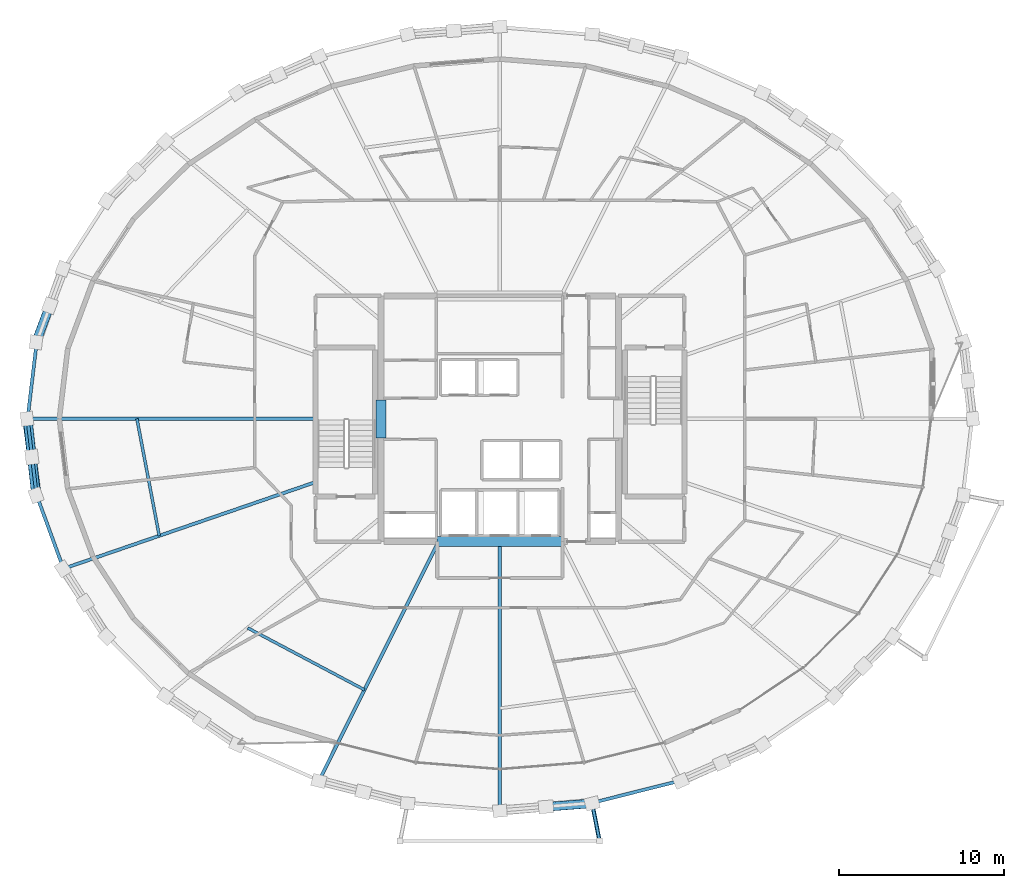
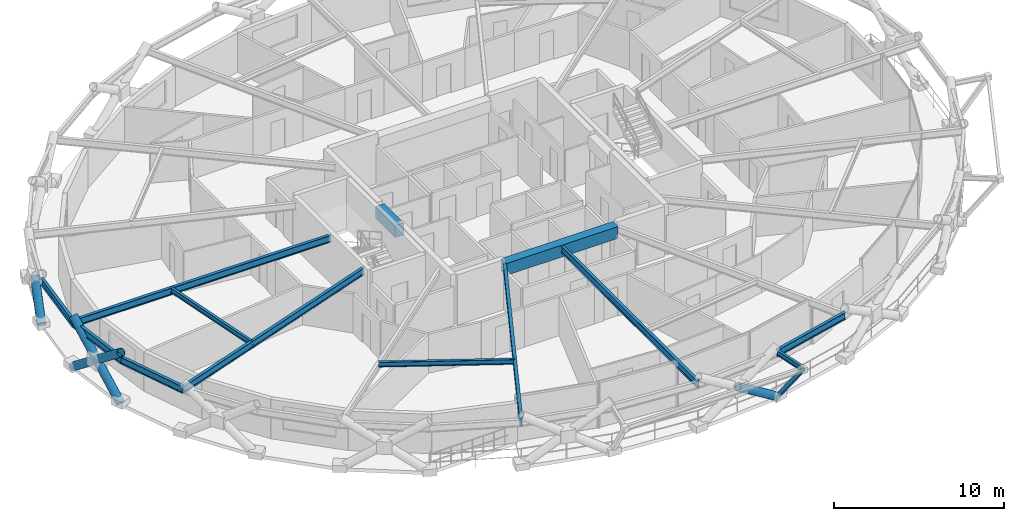
# One storey, part 4 of 21: 13 beams, 6 members.
"""IFC4 building model written with IfcOpenShell, lengths in metres."""

from ifc_helpers import new_model, si_unit, direction, frame, origin, origin_2d, place, context, subcontext, project, spatial, rectangle, hollow_rectangle, hollow_circle, i_section, extrude, material, material_profile, profile_set, type_object, element, save


model = new_model("IFC4")

# Units and contexts
model_context = context("Model", 3, precision=1e-05, world=origin(), true_north=direction((0.0, 1.0)))
body_context = subcontext(model_context, "Body", "Model", "MODEL_VIEW")
ifc_project = project(units=[si_unit("LENGTHUNIT", "METRE"), si_unit("AREAUNIT", "SQUARE_METRE"), si_unit("VOLUMEUNIT", "CUBIC_METRE"), si_unit("PLANEANGLEUNIT", "RADIAN"), si_unit("MASSUNIT", "GRAM", prefix="KILO")], contexts=[model_context])

# Site, building, storey
site_placement = place(None, origin())
site = spatial("IfcSite", under=ifc_project, at=site_placement, CompositionType="ELEMENT")
building_placement = place(site_placement, origin())
building = spatial("IfcBuilding", under=site, at=building_placement, Name="Veldorina Hangang Commons", CompositionType="ELEMENT")
storey_placement = place(building_placement, frame((0.0, 0.0, 120.800048828125)))
storey = spatial("IfcBuildingStorey", under=building, at=storey_placement, Name="L30", CompositionType="ELEMENT", Elevation=120.800048828125)

# Beams
ifc_material_1 = material(Name="Concrete C60/75", Category="concrete")
ifc_material_profile_1 = material_profile(ifc_material_1, rectangle(XDim=0.60009765625, YDim=0.85009765625, at=origin_2d()), Name="RC-CB-600x850")
ifc_profile_set_1 = profile_set([ifc_material_profile_1], Name="Concrete C60/75")
beam_type_1 = type_object("IfcBeamType", Name="BM-CB850", PredefinedType="LINTEL", material=ifc_profile_set_1)
beam_1_placement = place(storey_placement, frame((24.800048828125, 22.85009765625, 2.925048828125), z_axis=(0.0, 1.0, 0.0), x_axis=(-1.0, 0.0, 0.0)))
element("IfcBeam", 1, at=beam_1_placement, inside=storey, type_object=beam_type_1, Name="L30 W core coupling lintel beam", PredefinedType="LINTEL", context=body_context, shape_type="SweptSolid", body=[
    extrude(rectangle(XDim=0.60009765625, YDim=0.85009765625, at=origin_2d()), origin(), (0.0, 0.0, 1.0), 2.2998046875),
])
beam_2_placement = place(storey_placement, frame((28.199951171875, 16.550048828125, 2.925048828125), z_axis=(1.0, 0.0, 0.0), x_axis=(0.0, 1.0, 0.0)))
element("IfcBeam", 2, at=beam_2_placement, inside=storey, type_object=beam_type_1, Name="L30 south core coupling beam", PredefinedType="LINTEL", context=body_context, shape_type="SweptSolid", body=[
    extrude(rectangle(XDim=0.60009765625, YDim=0.85009765625, at=origin_2d()), origin(), (0.0, 0.0, 1.0), 7.60009765625),
])
ifc_material_2 = material(Name="Steel SM355-TMC", Category="steel")
ifc_material_profile_2 = material_profile(ifc_material_2, i_section(OverallWidth=0.175048828125, OverallDepth=0.35009765625, WebThickness=0.007080078125, FlangeThickness=0.010986328125, FilletRadius=0.012939453125, at=origin_2d()), Name="H-350x175x7x11")
ifc_profile_set_2 = profile_set([ifc_material_profile_2], Name="Steel SM355-TMC")
beam_type_2 = type_object("IfcBeamType", Name="BM-FG350", PredefinedType="BEAM", material=ifc_profile_set_2)
beam_3_placement = place(storey_placement, frame((37.584716796875, 0.717529296875, 3.175048828125), z_axis=(0.1950971513, -0.98078392195, 0.0), x_axis=(0.98078392195, 0.1950971513, 0.0)))
element("IfcBeam", 3, at=beam_3_placement, inside=storey, type_object=beam_type_2, Name="L31 tree balcony 1 bracket beam B", PredefinedType="BEAM", context=body_context, shape_type="SweptSolid", body=[
    extrude(i_section(OverallWidth=0.175048828125, OverallDepth=0.35009765625, WebThickness=0.007080078125, FlangeThickness=0.010986328125, FilletRadius=0.012939453125, at=origin_2d()), origin(), (0.0, 0.0, 1.0), 2.35009765625),
])
ifc_material_3 = material(Name="Steel SM420-TMC", Category="steel")
ifc_material_profile_3 = material_profile(ifc_material_3, i_section(OverallWidth=0.199951171875, OverallDepth=0.5, WebThickness=0.010009765625, FlangeThickness=0.01611328125, FilletRadius=0.01611328125, at=origin_2d()), Name="H-500x200x10x16")
ifc_profile_set_3 = profile_set([ifc_material_profile_3], Name="Steel SM420-TMC")
beam_type_3 = type_object("IfcBeamType", Name="BM-FG500", PredefinedType="BEAM", material=ifc_profile_set_3)
beam_4_placement = place(storey_placement, frame((20.820068359375, 24.0, 3.099853515625), z_axis=(-1.0, 0.0, 0.0), x_axis=(0.0, -1.0, 0.0)))
element("IfcBeam", 4, at=beam_4_placement, inside=storey, type_object=beam_type_3, Name="L30 radial floor girder 09", PredefinedType="BEAM", context=body_context, shape_type="SweptSolid", body=[
    extrude(i_section(OverallWidth=0.199951171875, OverallDepth=0.5, WebThickness=0.010009765625, FlangeThickness=0.01611328125, FilletRadius=0.01611328125, at=origin_2d()), origin(), (0.0, 0.0, 1.0), 17.4521484375),
])
beam_5_placement = place(storey_placement, frame((20.820068359375, 20.159912109375, 3.099853515625), z_axis=(-0.945765438335, -0.324850328077, 0.0), x_axis=(0.324850328077, -0.945765438335, 0.0)))
element("IfcBeam", 5, at=beam_5_placement, inside=storey, type_object=beam_type_3, Name="L30 radial floor girder 10", PredefinedType="BEAM", context=body_context, shape_type="SweptSolid", body=[
    extrude(i_section(OverallWidth=0.199951171875, OverallDepth=0.5, WebThickness=0.010009765625, FlangeThickness=0.01611328125, FilletRadius=0.01611328125, at=origin_2d()), origin(), (0.0, 0.0, 1.0), 16.1484375),
])
beam_6_placement = place(storey_placement, frame((28.278564453125, 16.550048828125, 3.099853515625), z_axis=(-0.446863753993, -0.894602026248, 0.0), x_axis=(0.894602026248, -0.446863753993, 0.0)))
element("IfcBeam", 6, at=beam_6_placement, inside=storey, type_object=beam_type_3, Name="L30 radial floor girder 12", PredefinedType="BEAM", context=body_context, shape_type="SweptSolid", body=[
    extrude(i_section(OverallWidth=0.199951171875, OverallDepth=0.5, WebThickness=0.010009765625, FlangeThickness=0.01611328125, FilletRadius=0.01611328125, at=origin_2d()), origin(), (0.0, 0.0, 1.0), 16.19189453125),
])
beam_7_placement = place(storey_placement, frame((32.0, 16.550048828125, 3.099853515625), z_axis=(0.0, -1.0, 0.0), x_axis=(1.0, 0.0, 0.0)))
element("IfcBeam", 7, at=beam_7_placement, inside=storey, type_object=beam_type_3, Name="L30 radial floor girder 13", PredefinedType="BEAM", context=body_context, shape_type="SweptSolid", body=[
    extrude(i_section(OverallWidth=0.199951171875, OverallDepth=0.5, WebThickness=0.010009765625, FlangeThickness=0.01611328125, FilletRadius=0.01611328125, at=origin_2d()), origin(), (0.0, 0.0, 1.0), 16.29248046875),
])
ifc_material_profile_4 = material_profile(ifc_material_2, i_section(OverallWidth=0.175048828125, OverallDepth=0.35009765625, WebThickness=0.007080078125, FlangeThickness=0.010986328125, FilletRadius=0.012939453125, at=origin_2d()), Name="H-350x175x7x11")
ifc_profile_set_4 = profile_set([ifc_material_profile_4], Name="Steel SM355-TMC")
beam_type_4 = type_object("IfcBeamType", Name="BM-JST350", PredefinedType="JOIST", material=ifc_profile_set_4)
beam_8_placement = place(storey_placement, frame((9.99951171875, 24.0, 3.175048828125), z_axis=(0.187160275912, -0.982329390337, 0.0), x_axis=(0.982329390337, 0.187160275912, 0.0)))
element("IfcBeam", 8, at=beam_8_placement, inside=storey, type_object=beam_type_4, Name="L30 secondary floor joist 09", PredefinedType="JOIST", context=body_context, shape_type="SweptSolid", body=[
    extrude(i_section(OverallWidth=0.175048828125, OverallDepth=0.35009765625, WebThickness=0.007080078125, FlangeThickness=0.010986328125, FilletRadius=0.012939453125, at=origin_2d()), origin(), (0.0, 0.0, 1.0), 7.22021484375),
])
beam_9_placement = place(storey_placement, frame((16.71142578125, 11.322509765625, 3.175048828125), z_axis=(0.883549201949, -0.468338347496, 0.0), x_axis=(0.468338347496, 0.883549201949, 0.0)))
element("IfcBeam", 9, at=beam_9_placement, inside=storey, type_object=beam_type_4, Name="L30 secondary floor joist 11", PredefinedType="JOIST", context=body_context, shape_type="SweptSolid", body=[
    extrude(i_section(OverallWidth=0.175048828125, OverallDepth=0.35009765625, WebThickness=0.007080078125, FlangeThickness=0.010986328125, FilletRadius=0.012939453125, at=origin_2d()), origin(), (0.0, 0.0, 1.0), 8.014404296875),
])
ifc_material_profile_5 = material_profile(ifc_material_3, i_section(OverallWidth=0.199951171875, OverallDepth=0.5, WebThickness=0.010009765625, FlangeThickness=0.01611328125, FilletRadius=0.01611328125, at=origin_2d()), Name="H-500x200x10x16")
ifc_profile_set_5 = profile_set([ifc_material_profile_5], Name="Steel SM420-TMC")
beam_type_5 = type_object("IfcBeamType", Name="BM-RB500", PredefinedType="BEAM", material=ifc_profile_set_5)
for number, where, z_axis, x_axis, name in (
    (10, (3.91796875, 28.632080078125, 3.099853515625), (-0.117919214174, -0.993023191536, 0.0), (0.993023191536, -0.117919214174, 0.0), "L30 perimeter hoop ring beam 15"),
    (11, (3.367919921875, 24.0, 3.099853515625), (0.117919214174, -0.993023191536, 0.0), (0.993023191536, 0.117919214174, 0.0), "L30 perimeter hoop ring beam 16"),
):
    element("IfcBeam", number, at=place(storey_placement, frame(where, z_axis=z_axis, x_axis=x_axis)), inside=storey, type_object=beam_type_5, Name=name, PredefinedType="BEAM", context=body_context, shape_type="SweptSolid", body=[
        extrude(i_section(OverallWidth=0.199951171875, OverallDepth=0.5, WebThickness=0.010009765625, FlangeThickness=0.01611328125, FilletRadius=0.01611328125, at=origin_2d()), origin(), (0.0, 0.0, 1.0), 4.66455078125),
    ])
beam_10_placement = place(storey_placement, frame((3.91796875, 19.367919921875, 3.099853515625), z_axis=(0.343569350265, -0.939127308494, 0.0), x_axis=(0.939127308494, 0.343569350265, 0.0)))
element("IfcBeam", 12, at=beam_10_placement, inside=storey, type_object=beam_type_5, Name="L30 perimeter hoop ring beam 17", PredefinedType="BEAM", context=body_context, shape_type="SweptSolid", body=[
    extrude(i_section(OverallWidth=0.199951171875, OverallDepth=0.5, WebThickness=0.010009765625, FlangeThickness=0.01611328125, FilletRadius=0.01611328125, at=origin_2d()), origin(), (0.0, 0.0, 1.0), 4.742431640625),
])
beam_11_placement = place(storey_placement, frame((37.5859375, 0.713623046875, 3.099853515625), z_axis=(0.969788824145, 0.243945970583, 0.0), x_axis=(-0.243945970583, 0.969788824145, 0.0)))
element("IfcBeam", 13, at=beam_11_placement, inside=storey, type_object=beam_type_5, Name="L30 perimeter hoop ring beam 25", PredefinedType="BEAM", context=body_context, shape_type="SweptSolid", body=[
    extrude(i_section(OverallWidth=0.199951171875, OverallDepth=0.5, WebThickness=0.010009765625, FlangeThickness=0.01611328125, FilletRadius=0.01611328125, at=origin_2d()), origin(), (0.0, 0.0, 1.0), 5.538330078125),
])

# Members
ifc_material_profile_6 = material_profile(ifc_material_3, hollow_circle(Radius=0.27490234375, WallThickness=0.028076171875, at=origin_2d()), Name="CHS-550x28")
ifc_profile_set_6 = profile_set([ifc_material_profile_6], Name="Steel SM420-TMC")
member_type_1 = type_object("IfcMemberType", Name="DG-CHS550", PredefinedType="BRACE", material=ifc_profile_set_6)
member_1_placement = place(storey_placement, frame((3.8837890625, 28.63671875, 0.0), z_axis=(0.280006804188, 0.74619357116, 0.603979589033), x_axis=(-0.936253165864, 0.351326072773, 0.0)))
element("IfcMember", 14, at=member_1_placement, inside=storey, type_object=member_type_1, Name="L30 split perimeter diagrid lower brace 15", PredefinedType="BRACE", context=body_context, shape_type="SweptSolid", body=[
    extrude(hollow_circle(Radius=0.27490234375, WallThickness=0.028076171875, at=origin_2d()), origin(), (0.0, 0.0, 1.0), 2.98193359375),
])
member_2_placement = place(storey_placement, frame((3.3330078125, 24.0, 0.0), z_axis=(0.100177050438, -0.785555382292, 0.610628610464), x_axis=(0.9919666819, 0.12649941502, 0.0)))
element("IfcMember", 15, at=member_2_placement, inside=storey, type_object=member_type_1, Name="L30 continuous perimeter diagrid brace 16", PredefinedType="BRACE", context=body_context, shape_type="SweptSolid", body=[
    extrude(hollow_circle(Radius=0.27490234375, WallThickness=0.028076171875, at=origin_2d()), origin(), (0.0, 0.0, 1.0), 5.895263671875),
])
member_3_placement = place(storey_placement, frame((3.8837890625, 19.36328125, 0.0), z_axis=(-0.086626261682, 0.786924224191, 0.610938749932), x_axis=(-0.993995484512, -0.109421098379, 0.0)))
element("IfcMember", 16, at=member_3_placement, inside=storey, type_object=member_type_1, Name="L30 split perimeter diagrid lower brace 17", PredefinedType="BRACE", context=body_context, shape_type="SweptSolid", body=[
    extrude(hollow_circle(Radius=0.27490234375, WallThickness=0.028076171875, at=origin_2d()), origin(), (0.0, 0.0, 1.0), 2.947998046875),
])
member_4_placement = place(storey_placement, frame((3.62841796875, 21.68310546875, 1.801025390625), z_axis=(-0.086651289664, 0.786909798003, 0.610953782054), x_axis=(-0.993991827277, -0.10945431607, 0.0)))
element("IfcMember", 17, at=member_4_placement, inside=storey, type_object=member_type_1, Name="L30 split perimeter diagrid upper brace 17", PredefinedType="BRACE", context=body_context, shape_type="SweptSolid", body=[
    extrude(hollow_circle(Radius=0.27490234375, WallThickness=0.028076171875, at=origin_2d()), origin(), (0.0, 0.0, 1.0), 2.9443359375),
])
member_5_placement = place(storey_placement, frame((37.5927734375, 0.689697265625, 0.0), z_axis=(-0.839124041393, -0.064204483014, 0.540137600541), x_axis=(0.07629070723, -0.997085617182, 0.0)))
element("IfcMember", 18, at=member_5_placement, inside=storey, type_object=member_type_1, Name="L30 split perimeter diagrid lower brace 25", PredefinedType="BRACE", context=body_context, shape_type="SweptSolid", body=[
    extrude(hollow_circle(Radius=0.27490234375, WallThickness=0.028076171875, at=origin_2d()), origin(), (0.0, 0.0, 1.0), 3.334716796875),
])
ifc_material_profile_7 = material_profile(ifc_material_2, hollow_rectangle(XDim=0.25, YDim=0.25, WallThickness=0.011962890625, at=origin_2d()), Name="SHS-250x250x12")
ifc_profile_set_7 = profile_set([ifc_material_profile_7], Name="Steel SM355-TMC")
member_type_2 = type_object("IfcMemberType", Name="STR-SHS250", PredefinedType="STRUT", material=ifc_profile_set_7)
member_6_placement = place(storey_placement, frame((37.5927734375, 0.689697265625, 0.0), z_axis=(0.114526269567, -0.578962881438, 0.807270534267), x_axis=(0.980991125023, 0.19405260273, 0.0)))
element("IfcMember", 19, at=member_6_placement, inside=storey, type_object=member_type_2, Name="L31 tree balcony 1 raking knee strut B", PredefinedType="STRUT", context=body_context, shape_type="SweptSolid", body=[
    extrude(hollow_rectangle(XDim=0.25, YDim=0.25, WallThickness=0.011962890625, at=origin_2d()), origin(), (0.0, 0.0, 1.0), 3.93310546875),
])

save(model, "model.ifc")
